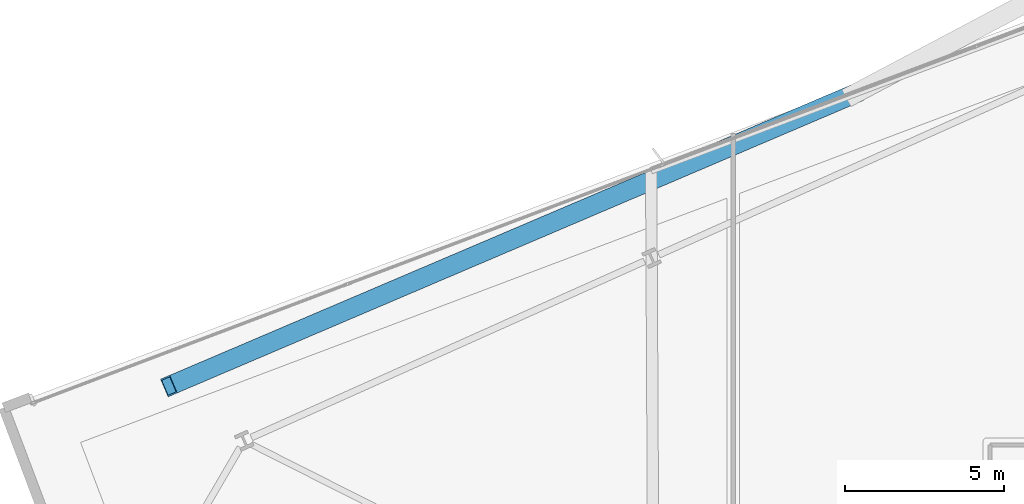
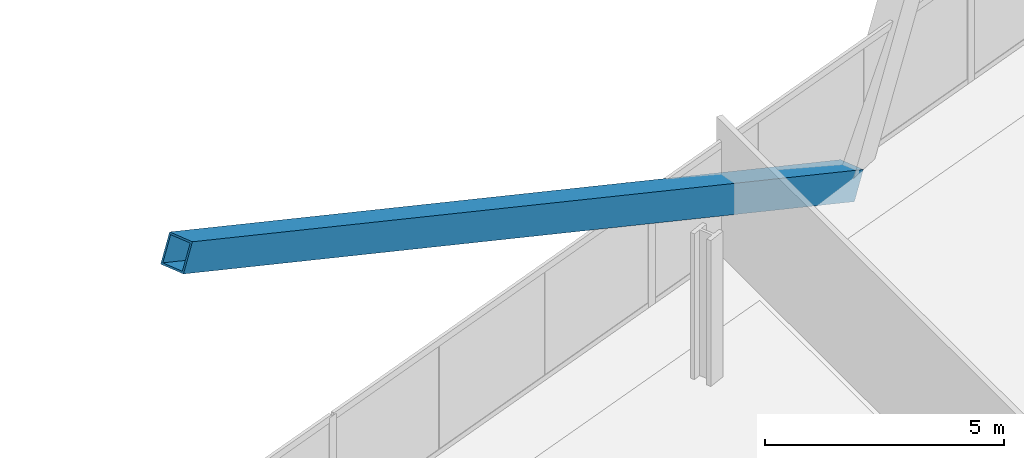
# One storey, part 21 of 37: 1 member.
"""IFC4 building model written with IfcOpenShell, lengths in metres."""

import ifcopenshell
import ifcopenshell.guid

model = None  # the IFC model being written
_history = None  # IfcOwnerHistory: only IFC2X3 demands one
_inside = {}  # id of a spatial element -> (the spatial element, [elements in it])
_under = {}  # id of a project, library or spatial element -> (it, [spatial elements below it])
_declared = {}  # id of a project -> (the project, [libraries it declares])
_typed = {}  # id of a type object -> (the type object, [elements of that type])
_made_of = {}  # id of a material, layer set ... -> (it, [elements and type objects made of it])


def new_model(schema):
    """Start an empty IFC model of exactly this schema.

    Asked for "IFC4X3", IfcOpenShell would pick the latest addendum, in which some entities
    have other attributes; the version numbers below select the first issue.
    IFC2X3 requires an IfcOwnerHistory on every rooted entity: one is made here for all.
    """
    global model, _history
    if schema == "IFC4X3":
        model = ifcopenshell.file(schema_version=(4, 3, 0, 0))
    else:
        model = ifcopenshell.file(schema=schema)
    _inside.clear()
    _under.clear()
    _declared.clear()
    _typed.clear()
    _made_of.clear()
    _history = None
    if model.schema == "IFC2X3":
        org = make("IfcOrganization", Name="unknown")
        user = make(
            "IfcPersonAndOrganization",
            ThePerson=make("IfcPerson", FamilyName="unknown"),
            TheOrganization=org,
        )
        app = make(
            "IfcApplication",
            ApplicationDeveloper=org,
            Version="unknown",
            ApplicationFullName="unknown",
            ApplicationIdentifier="unknown",
        )
        _history = make(
            "IfcOwnerHistory",
            OwningUser=user,
            OwningApplication=app,
            ChangeAction="ADDED",
            CreationDate=0,
        )
    return model


def make(cls, **values):
    """One entity of the class cls with the attributes given. An attribute that is None is left unset."""
    return model.create_entity(
        cls, **{name: value for name, value in values.items() if value is not None}
    )


def rooted(cls, **values):
    """An entity with a GlobalId (a new one), such as an element, a storey or a relation."""
    return make(cls, GlobalId=ifcopenshell.guid.new(), OwnerHistory=_history, **values)


def si_unit(unit_type, name, prefix=None):
    """IfcSIUnit, for example si_unit("LENGTHUNIT", "METRE", prefix="MILLI")."""
    return make("IfcSIUnit", UnitType=unit_type, Prefix=prefix, Name=name)


def assignment(units):
    """IfcUnitAssignment: the units of a project."""
    return None if units is None else make("IfcUnitAssignment", Units=units)


def point(xyz):
    """IfcCartesianPoint."""
    return None if xyz is None else make("IfcCartesianPoint", Coordinates=xyz)


def direction(xyz):
    """IfcDirection."""
    return None if xyz is None else make("IfcDirection", DirectionRatios=xyz)


def frame(location, z_axis=None, x_axis=None):
    """IfcAxis2Placement3D, a coordinate frame: its origin and axes. An axis left out is left unset."""
    return make(
        "IfcAxis2Placement3D",
        Location=point(location),
        Axis=direction(z_axis),
        RefDirection=direction(x_axis),
    )


def frame_2d(location, x_axis=None):
    """IfcAxis2Placement2D, a coordinate frame in the plane: its origin and x axis."""
    return make(
        "IfcAxis2Placement2D", Location=point(location), RefDirection=direction(x_axis)
    )


def origin():
    """The frame at (0, 0, 0) with its axes left unset."""
    return frame((0.0, 0.0, 0.0))


def origin_2d():
    """The frame at (0, 0) in the plane with its x axis left unset."""
    return frame_2d((0.0, 0.0))


def place(relative_to, where):
    """IfcLocalPlacement: puts the frame where relative to a parent placement (None: the world)."""
    return make(
        "IfcLocalPlacement", PlacementRelTo=relative_to, RelativePlacement=where
    )


def context(
    kind, dimensions, precision=None, world=None, true_north=None, identifier=None
):
    """IfcGeometricRepresentationContext, for example the 3D "Model" context."""
    return make(
        "IfcGeometricRepresentationContext",
        ContextIdentifier=identifier,
        ContextType=kind,
        CoordinateSpaceDimension=dimensions,
        Precision=precision,
        WorldCoordinateSystem=world,
        TrueNorth=true_north,
    )


def subcontext(parent, identifier, kind, view, scale=None):
    """IfcGeometricRepresentationSubContext, for example "Body" below "Model"."""
    return make(
        "IfcGeometricRepresentationSubContext",
        ContextIdentifier=identifier,
        ContextType=kind,
        ParentContext=parent,
        TargetScale=scale,
        TargetView=view,
    )


def project(units=None, contexts=None):
    """IfcProject with its units and contexts."""
    return rooted(
        "IfcProject",
        Name="project",
        RepresentationContexts=contexts,
        UnitsInContext=assignment(units),
    )


def spatial(cls, under=None, at=None, **own):
    """A site, building, storey or space (cls), placed at a placement, below another one or the project."""
    s = rooted(cls, ObjectPlacement=at, **own)
    if under is not None:
        _under.setdefault(under.id(), (under, []))[1].append(s)
    return s


def profile(cls, at=None, kind="AREA", **sizes):
    """A parametric profile (cls). Its sizes go by their IFC names, for example OverallWidth=200.0."""
    return make(cls, ProfileType=kind, Position=at, **sizes)


def hollow_rectangle(**sizes):
    """IfcRectangleHollowProfileDef."""
    return profile("IfcRectangleHollowProfileDef", **sizes)


def extrude(swept, where, along, depth):
    """IfcExtrudedAreaSolid: the profile swept, set in the frame where, extruded along a direction by depth."""
    return make(
        "IfcExtrudedAreaSolid",
        SweptArea=swept,
        Position=where,
        ExtrudedDirection=direction(along),
        Depth=depth,
    )


def shape(context_of_items, identifier, shape_type, items):
    """IfcShapeRepresentation: the items that make up one representation, for example the "Body"."""
    return make(
        "IfcShapeRepresentation",
        ContextOfItems=context_of_items,
        RepresentationIdentifier=identifier,
        RepresentationType=shape_type,
        Items=items,
    )


def material(Name=None, Category=None):
    """IfcMaterial."""
    return make("IfcMaterial", Name=Name, Category=Category)


def material_profile(
    of_material, cross_section, Name=None, Category=None, Priority=None
):
    """IfcMaterialProfile: a cross section and its material."""
    return make(
        "IfcMaterialProfile",
        Name=Name,
        Material=of_material,
        Profile=cross_section,
        Priority=Priority,
        Category=Category,
    )


def profile_set(profiles, Name=None, composite=None):
    """IfcMaterialProfileSet."""
    return make(
        "IfcMaterialProfileSet",
        Name=Name,
        MaterialProfiles=profiles,
        CompositeProfile=composite,
    )


def made_of(thing, what):
    """Note that an element or type object is made of a material, layer set ...; save() writes the relation."""
    if what is not None:
        _made_of.setdefault(what.id(), (what, []))[1].append(thing)
    return thing


def type_object(cls, material=None, **own):
    """A type object (cls), such as IfcWallType, which elements share."""
    return made_of(rooted(cls, **own), material)


def element(
    cls,
    number,
    at=None,
    inside=None,
    cuts=None,
    type_object=None,
    material=None,
    context=None,
    identifier="Body",
    shape_type=None,
    held_by="IfcProductDefinitionShape",
    body=None,
    shapes=None,
    **own,
):
    """One element of the class cls, such as IfcWall. Its Tag is "e" and its number.

    at: its placement. inside: the storey or other place that contains it. cuts: it is an
    opening in that element (IfcRelVoidsElement). A single representation is given by context,
    identifier, shape_type and body (its items); several are given by shapes. held_by: the class
    of the entity that holds the representations. save() writes the other relations.
    """
    e = rooted(cls, Tag="e%d" % number, ObjectPlacement=at, **own)
    if body is not None:
        shapes = [shape(context, identifier, shape_type, body)]
    if shapes is not None:
        e.Representation = make(held_by, Representations=shapes)
    if inside is not None:
        _inside.setdefault(inside.id(), (inside, []))[1].append(e)
    if cuts is not None:
        rooted(
            "IfcRelVoidsElement", RelatingBuildingElement=cuts, RelatedOpeningElement=e
        )
    if type_object is not None:
        _typed.setdefault(type_object.id(), (type_object, []))[1].append(e)
    return made_of(e, material)


def aggregate(whole, parts):
    """IfcRelAggregates: a whole, such as a stair, and the parts it consists of."""
    return rooted("IfcRelAggregates", RelatingObject=whole, RelatedObjects=parts)


def save(model, path):
    """Write the relations noted so far, then the file.

    IfcRelAggregates (storeys below a building ...), IfcRelContainedInSpatialStructure (elements
    in a storey), IfcRelDefinesByType, IfcRelAssociatesMaterial and IfcRelDeclares: one each for
    every whole, place, type object, material and project.
    """
    for whole, parts in _under.values():
        aggregate(whole, parts)
    for where, things in _inside.values():
        rooted(
            "IfcRelContainedInSpatialStructure",
            RelatedElements=things,
            RelatingStructure=where,
        )
    for kind, things in _typed.values():
        rooted("IfcRelDefinesByType", RelatedObjects=things, RelatingType=kind)
    for what, things in _made_of.values():
        rooted("IfcRelAssociatesMaterial", RelatedObjects=things, RelatingMaterial=what)
    for by, libraries in _declared.values():
        rooted("IfcRelDeclares", RelatingContext=by, RelatedDefinitions=libraries)
    model.write(path)


model = new_model("IFC4")

# Units and contexts
model_context = context("Model", 3, precision=1e-05, world=origin(), true_north=direction((0.0, 1.0)))
body_context = subcontext(model_context, "Body", "Model", "MODEL_VIEW")
ifc_project = project(units=[si_unit("LENGTHUNIT", "METRE"), si_unit("AREAUNIT", "SQUARE_METRE"), si_unit("VOLUMEUNIT", "CUBIC_METRE"), si_unit("PLANEANGLEUNIT", "RADIAN"), si_unit("MASSUNIT", "GRAM", prefix="KILO")], contexts=[model_context])

# Site, building, storey
site_placement = place(None, origin())
site = spatial("IfcSite", under=ifc_project, at=site_placement, CompositionType="ELEMENT")
building_placement = place(site_placement, origin())
building = spatial("IfcBuilding", under=site, at=building_placement, Name="Haldenkirk Collegiate Tower", CompositionType="ELEMENT")
storey_placement = place(building_placement, frame((0.0, 0.0, 97.949951171875)))
storey = spatial("IfcBuildingStorey", under=building, at=storey_placement, Name="L23", CompositionType="ELEMENT", Elevation=97.949951171875)

# Member
ifc_material = material(Name="Steel ASTM A572 Grade 50", Category="steel")
ifc_material_profile = material_profile(ifc_material, hollow_rectangle(XDim=0.60009765625, YDim=0.719970703125, WallThickness=0.044921875, at=origin_2d()), Name="BOX720X600X45")
ifc_profile_set = profile_set([ifc_material_profile], Name="Steel ASTM A572 Grade 50")
member_type = type_object("IfcMemberType", Name="MBR-MEGABRACE-BOX720X600X45", PredefinedType="BRACE", material=ifc_profile_set)
member_placement = place(storey_placement, frame((33.320068359375, 51.37060546875, -0.31005859375), z_axis=(-0.829035482203, -0.353417353962, 0.433354754406), x_axis=(0.392152872675, -0.919900062209, 0.0)))
element("IfcMember", 1, at=member_placement, inside=storey, type_object=member_type, Name="Perimeter Mega Brace Z2 L23-L25 NR", PredefinedType="BRACE", context=body_context, shape_type="SweptSolid", body=[
    extrude(hollow_rectangle(XDim=0.60009765625, YDim=0.719970703125, WallThickness=0.044921875, at=origin_2d()), origin(), (0.0, 0.0, 1.0), 25.960205078125),
])

save(model, "model.ifc")
